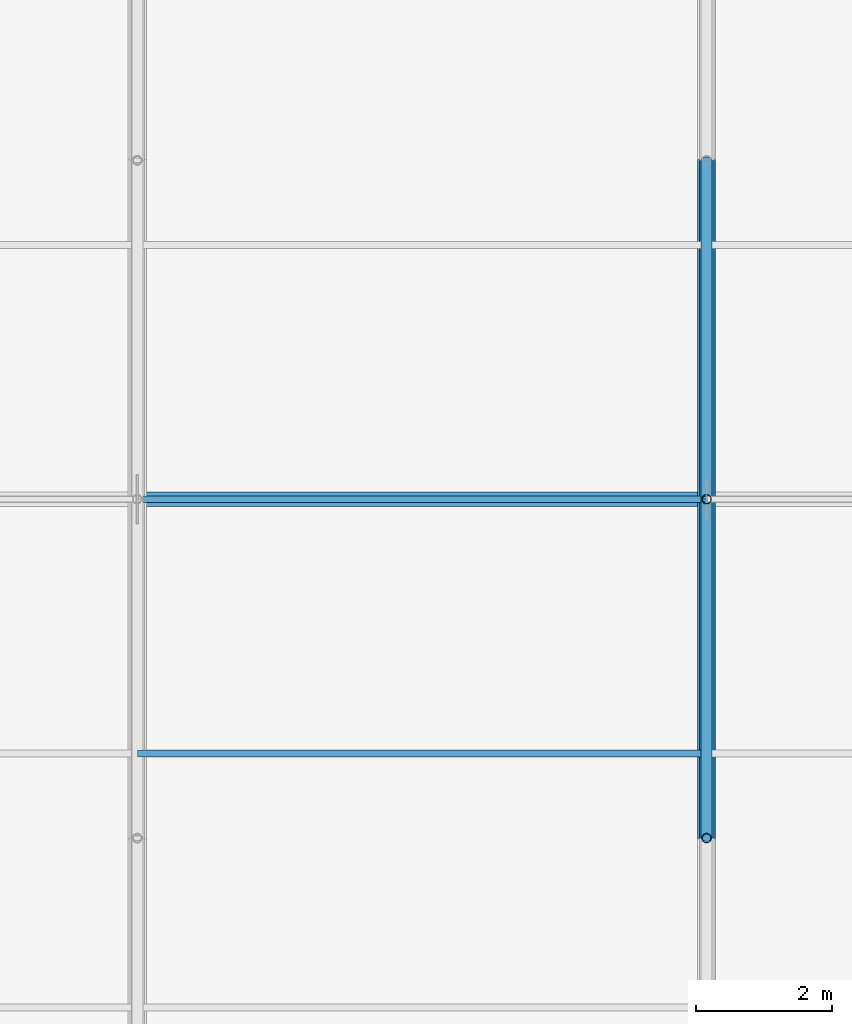
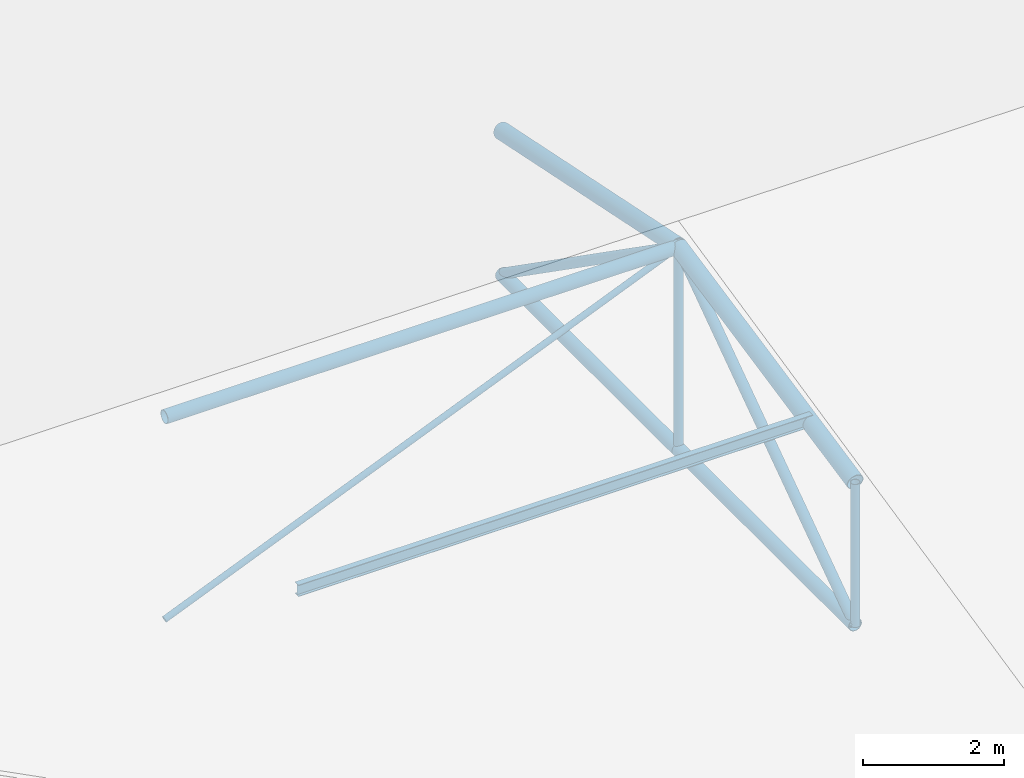
# One storey, part 27 of 194: 10 members, 1 beam.
"""IFC4 building model written with IfcOpenShell, lengths in metres."""

from ifc_helpers import new_model, si_unit, direction, frame, origin, origin_2d, place, context, subcontext, project, spatial, hollow_circle, i_section, extrude, material, material_profile, profile_set, type_object, element, save


model = new_model("IFC4")

# Units and contexts
model_context = context("Model", 3, precision=1e-05, world=origin(), true_north=direction((0.0, 1.0)))
body_context = subcontext(model_context, "Body", "Model", "MODEL_VIEW")
ifc_project = project(units=[si_unit("LENGTHUNIT", "METRE"), si_unit("AREAUNIT", "SQUARE_METRE"), si_unit("VOLUMEUNIT", "CUBIC_METRE"), si_unit("PLANEANGLEUNIT", "RADIAN"), si_unit("MASSUNIT", "GRAM", prefix="KILO")], contexts=[model_context])

# Site, building, storey
site_placement = place(None, origin())
site = spatial("IfcSite", under=ifc_project, at=site_placement, CompositionType="ELEMENT")
building_placement = place(site_placement, origin())
building = spatial("IfcBuilding", under=site, at=building_placement, Name="Kazenagashi Tramway Depot", CompositionType="ELEMENT")
storey_placement = place(building_placement, frame((0.0, 0.0, 23.7)))
storey = spatial("IfcBuildingStorey", under=building, at=storey_placement, Name="ROOF", CompositionType="ELEMENT", Elevation=23.7)

# Beam
ifc_material_1 = material(Name="Steel SN400B", Category="steel")
ifc_material_profile_1 = material_profile(ifc_material_1, i_section(OverallWidth=0.1, OverallDepth=0.2, WebThickness=0.0055, FlangeThickness=0.008, at=origin_2d()), Name="H-200x100x5.5x8")
ifc_profile_set_1 = profile_set([ifc_material_profile_1], Name="Steel SN400B")
beam_type = type_object("IfcBeamType", Name="PR-01", PredefinedType="USERDEFINED", material=ifc_profile_set_1)
beam_placement = place(storey_placement, frame((86.8, 81.25, -11.305), z_axis=(1.0, 0.0, 0.0), x_axis=(0.0, 1.0, 0.0)))
element("IfcBeam", 1, at=beam_placement, inside=storey, type_object=beam_type, Name="Beam PR-01 BM-2059", ObjectType="PURLIN", PredefinedType="USERDEFINED", context=body_context, shape_type="SweptSolid", body=[
    extrude(i_section(OverallWidth=0.1, OverallDepth=0.2, WebThickness=0.0055, FlangeThickness=0.008, at=origin_2d()), origin(), (0.0, 0.0, 1.0), 8.4),
])

# Members
ifc_material_2 = material(Name="Steel STK490", Category="steel")
ifc_material_profile_2 = material_profile(ifc_material_2, hollow_circle(Radius=0.1337, WallThickness=0.0093, at=origin_2d()), Name="CHS-267.4x9.3")
ifc_profile_set_2 = profile_set([ifc_material_profile_2], Name="Steel STK490")
member_type_1 = type_object("IfcMemberType", Name="TC-01", PredefinedType="CHORD", material=ifc_profile_set_2)
for number, where, z_axis, x_axis, name in (
    (2, (95.2, 80.0, -11.633), (0.0, 0.979317999984, 0.202327098797), (-1.0, 0.0, 0.0), "Tubular Space Frame TC-01 MEM-0373"),
    (3, (95.2, 85.0, -10.6), (0.0, 0.979317999984, -0.202327098797), (-1.0, 0.0, 0.0), "Tubular Space Frame TC-01 MEM-0376"),
):
    element("IfcMember", number, at=place(storey_placement, frame(where, z_axis=z_axis, x_axis=x_axis)), inside=storey, type_object=member_type_1, Name=name, PredefinedType="CHORD", context=body_context, shape_type="SweptSolid", body=[
        extrude(hollow_circle(Radius=0.1337, WallThickness=0.0093, at=origin_2d()), origin(), (0.0, 0.0, 1.0), 5.105594),
    ])
ifc_material_profile_3 = material_profile(ifc_material_2, hollow_circle(Radius=0.10815, WallThickness=0.0082, at=origin_2d()), Name="CHS-216.3x8.2")
ifc_profile_set_3 = profile_set([ifc_material_profile_3], Name="Steel STK490")
member_type_2 = type_object("IfcMemberType", Name="TC-02", PredefinedType="CHORD", material=ifc_profile_set_3)
member_1_placement = place(storey_placement, frame((86.8, 85.0, -10.6), z_axis=(1.0, 0.0, 0.0), x_axis=(0.0, 1.0, 0.0)))
element("IfcMember", 4, at=member_1_placement, inside=storey, type_object=member_type_2, Name="Tubular Space Frame TC-02 MEM-0333", PredefinedType="CHORD", context=body_context, shape_type="SweptSolid", body=[
    extrude(hollow_circle(Radius=0.10815, WallThickness=0.0082, at=origin_2d()), origin(), (0.0, 0.0, 1.0), 8.4),
])
for number, where, z_axis, x_axis, name in (
    (5, (95.2, 80.0, -14.1), (0.0, 1.0, 0.0), (-1.0, 0.0, 0.0), "Tubular Space Frame TC-02 MEM-0374"),
    (6, (95.2, 85.0, -14.1), (0.0, 1.0, 0.0), (-1.0, 0.0, 0.0), "Tubular Space Frame TC-02 MEM-0377"),
):
    element("IfcMember", number, at=place(storey_placement, frame(where, z_axis=z_axis, x_axis=x_axis)), inside=storey, type_object=member_type_2, Name=name, PredefinedType="CHORD", context=body_context, shape_type="SweptSolid", body=[
        extrude(hollow_circle(Radius=0.10815, WallThickness=0.0082, at=origin_2d()), origin(), (0.0, 0.0, 1.0), 5.0),
    ])
ifc_material_profile_4 = material_profile(ifc_material_2, hollow_circle(Radius=0.0826, WallThickness=0.0071, at=origin_2d()), Name="CHS-165.2x7.1")
ifc_profile_set_4 = profile_set([ifc_material_profile_4], Name="Steel STK490")
member_type_3 = type_object("IfcMemberType", Name="TS-01", PredefinedType="STRUT", material=ifc_profile_set_4)
for number, where, z_axis, x_axis, name in (
    (7, (95.2, 80.0, -14.1), (0.0, 0.819231920519, 0.573462344363), (-1.0, 0.0, 0.0), "Tubular Space Frame TS-01 MEM-0375"),
    (8, (95.2, 85.0, -10.6), (0.0, 0.819231920519, -0.573462344363), (-1.0, 0.0, 0.0), "Tubular Space Frame TS-01 MEM-0378"),
):
    element("IfcMember", number, at=place(storey_placement, frame(where, z_axis=z_axis, x_axis=x_axis)), inside=storey, type_object=member_type_3, Name=name, PredefinedType="STRUT", context=body_context, shape_type="SweptSolid", body=[
        extrude(hollow_circle(Radius=0.0826, WallThickness=0.0071, at=origin_2d()), origin(), (0.0, 0.0, 1.0), 6.103278),
    ])
ifc_material_profile_5 = material_profile(ifc_material_2, hollow_circle(Radius=0.0699, WallThickness=0.0066, at=origin_2d()), Name="CHS-139.8x6.6")
ifc_profile_set_5 = profile_set([ifc_material_profile_5], Name="Steel STK490")
member_type_4 = type_object("IfcMemberType", Name="TS-02", PredefinedType="STRUT", material=ifc_profile_set_5)
member_2_placement = place(storey_placement, frame((95.2, 80.0, -14.1), z_axis=(0.0, 0.0, 1.0), x_axis=(1.0, 0.0, 0.0)))
element("IfcMember", 9, at=member_2_placement, inside=storey, type_object=member_type_4, Name="Tubular Space Frame TS-02 MEM-0387", PredefinedType="STRUT", context=body_context, shape_type="SweptSolid", body=[
    extrude(hollow_circle(Radius=0.0699, WallThickness=0.0066, at=origin_2d()), origin(), (0.0, 0.0, 1.0), 2.467),
])
member_3_placement = place(storey_placement, frame((95.2, 85.0, -14.1), z_axis=(0.0, 0.0, 1.0), x_axis=(1.0, 0.0, 0.0)))
element("IfcMember", 10, at=member_3_placement, inside=storey, type_object=member_type_4, Name="Tubular Space Frame TS-02 MEM-0388", PredefinedType="STRUT", context=body_context, shape_type="SweptSolid", body=[
    extrude(hollow_circle(Radius=0.0699, WallThickness=0.0066, at=origin_2d()), origin(), (0.0, 0.0, 1.0), 3.5),
])
ifc_material_3 = material(Name="Steel STK400", Category="steel")
ifc_material_profile_6 = material_profile(ifc_material_3, hollow_circle(Radius=0.0508, WallThickness=0.0042, at=origin_2d()), Name="CHS-101.6x4.2")
ifc_profile_set_6 = profile_set([ifc_material_profile_6], Name="Steel STK400")
member_type_5 = type_object("IfcMemberType", Name="TS-06", PredefinedType="STRUT", material=ifc_profile_set_6)
member_4_placement = place(storey_placement, frame((86.8, 85.0, -14.1), z_axis=(0.923076923077, 0.0, 0.384615384615), x_axis=(0.0, 1.0, 0.0)))
element("IfcMember", 11, at=member_4_placement, inside=storey, type_object=member_type_5, Name="Tubular Space Frame TS-06 MEM-0334", PredefinedType="STRUT", context=body_context, shape_type="SweptSolid", body=[
    extrude(hollow_circle(Radius=0.0508, WallThickness=0.0042, at=origin_2d()), origin(), (0.0, 0.0, 1.0), 9.1),
])

save(model, "model.ifc")
